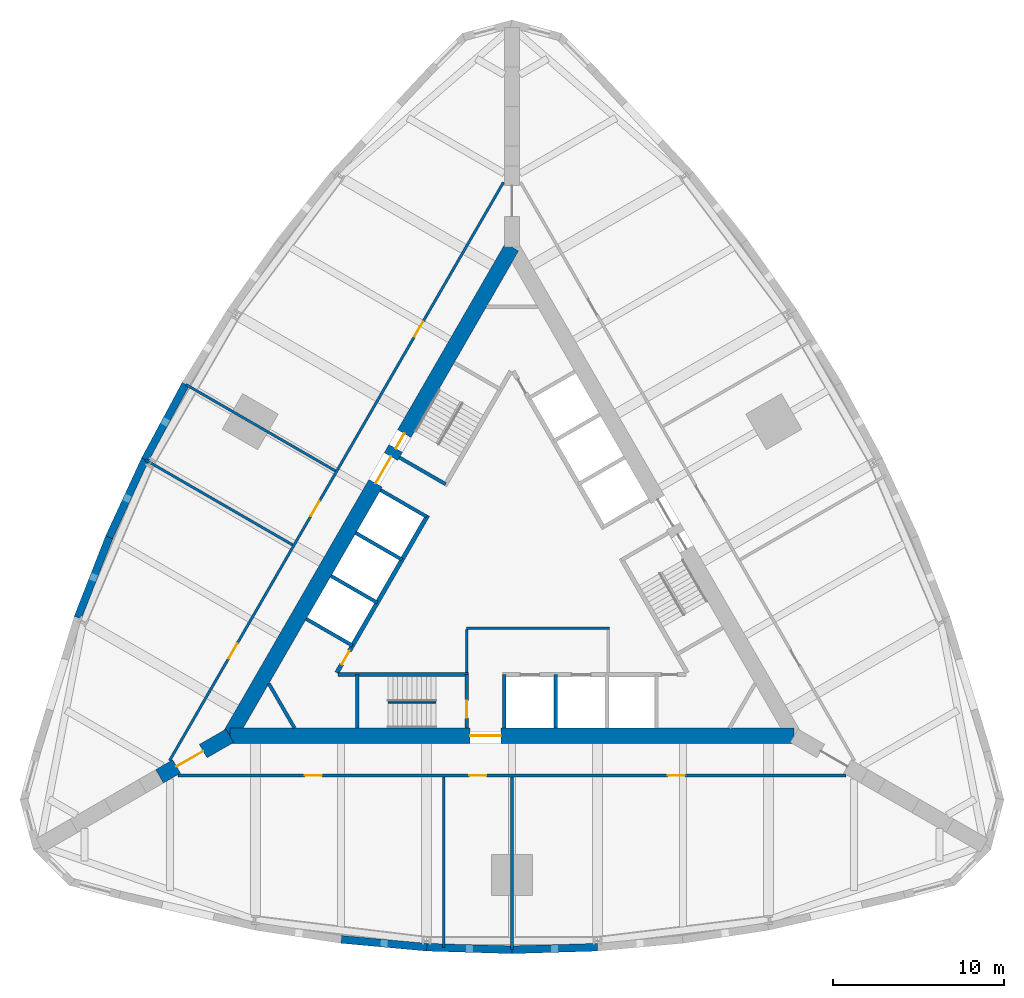
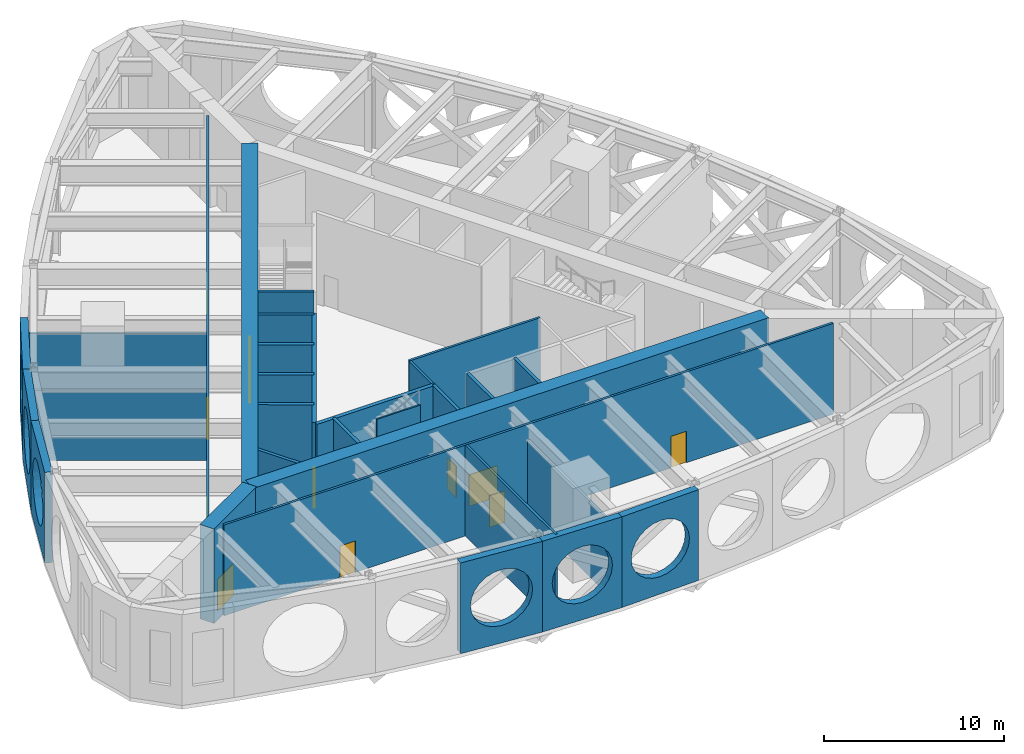
# One storey, part 3 of 7: 30 walls, 12 doors, 12 openings.
"""IFC4 building model written with IfcOpenShell, lengths in metres."""

from ifc_helpers import new_model, si_unit, direction, frame, frame_2d, origin, place, context, subcontext, project, spatial, polyline, rectangle, outline, extrude, material, layer, layer_set, type_object, element, fill, save


model = new_model("IFC4")

# Units and contexts
model_context = context("Model", 3, precision=1e-05, world=origin(), true_north=direction((0.0, 1.0)))
body_context = subcontext(model_context, "Body", "Model", "MODEL_VIEW")
ifc_project = project(units=[si_unit("LENGTHUNIT", "METRE"), si_unit("AREAUNIT", "SQUARE_METRE"), si_unit("VOLUMEUNIT", "CUBIC_METRE"), si_unit("PLANEANGLEUNIT", "RADIAN"), si_unit("MASSUNIT", "GRAM", prefix="KILO")], contexts=[model_context])

# Site, building, storey
site_placement = place(None, origin())
site = spatial("IfcSite", under=ifc_project, at=site_placement, CompositionType="ELEMENT")
building_placement = place(site_placement, origin())
building = spatial("IfcBuilding", under=site, at=building_placement, Name="Trikona Tower", CompositionType="ELEMENT")
storey_placement = place(building_placement, frame((0.0, 0.0, 103.300048828125)))
storey = spatial("IfcBuildingStorey", under=building, at=storey_placement, Name="L27", CompositionType="ELEMENT", Elevation=103.300048828125)

# Walls
ifc_material_1 = material(Name="Brick-faced precast concrete with louvred openings", Category="masonry")
ifc_layer_1 = layer(ifc_material_1, 0.449951171875)
ifc_layer_set_1 = layer_set([ifc_layer_1], Name="Brick-faced plant wall 450")
wall_type_1 = type_object("IfcWallType", Name="Brick-faced plant wall 450", PredefinedType="SOLIDWALL", material=ifc_layer_set_1)
wall_1_placement = place(storey_placement, frame((-9.9794921875, -21.439697265625, 0.0), z_axis=(0.0, 0.0, 1.0), x_axis=(0.995857256774, -0.090930325692, 0.0)))
element("IfcWall", 1, at=wall_1_placement, inside=storey, type_object=wall_type_1, Name="External wall L27-02", PredefinedType="SOLIDWALL", context=body_context, shape_type="SweptSolid", body=[
    extrude(outline(polyline([(0.0, 0.0), (5.020751953125, 0.0), (5.020751953125, 6.14990234375), (0.0, 6.14990234375), (0.0, 0.0)]), holes=[polyline([(4.410400390625, 3.074951171875), (4.345703125, 3.566650390625), (4.15576171875, 4.02490234375), (3.85400390625, 4.41845703125), (3.46044921875, 4.720458984375), (3.002197265625, 4.91015625), (2.510498046875, 4.974853515625), (2.0185546875, 4.91015625), (1.560302734375, 4.720458984375), (1.1669921875, 4.41845703125), (0.864990234375, 4.02490234375), (0.675048828125, 3.566650390625), (0.6103515625, 3.074951171875), (0.675048828125, 2.583251953125), (0.864990234375, 2.125), (1.1669921875, 1.7314453125), (1.560302734375, 1.429443359375), (2.0185546875, 1.23974609375), (2.510498046875, 1.175048828125), (3.002197265625, 1.23974609375), (3.46044921875, 1.429443359375), (3.85400390625, 1.7314453125), (4.15576171875, 2.125), (4.345703125, 2.583251953125), (4.410400390625, 3.074951171875)])]), frame((0.0, 0.22509765625, 0.0), z_axis=(0.0, -1.0, 0.0), x_axis=(1.0, 0.0, 0.0)), (0.0, 0.0, 1.0), 0.449951171875),
])
for number, where, z_axis, x_axis, name in (
    (2, (-4.9931640625, -21.8955078125, 0.0), (0.0, 0.0, 1.0), (0.999537635046, -0.030405856769, 0.0), "External wall L27-03"),
    (3, (-0.0068359375, -22.047607421875, 0.0), (0.0, 0.0, 1.0), (0.999537635046, 0.030405856769, 0.0), "External wall L27-04"),
):
    element("IfcWall", number, at=place(storey_placement, frame(where, z_axis=z_axis, x_axis=x_axis)), inside=storey, type_object=wall_type_1, Name=name, PredefinedType="SOLIDWALL", context=body_context, shape_type="SweptSolid", body=[
        extrude(outline(polyline([(0.0, 0.0), (5.002197265625, 0.0), (5.002197265625, 6.14990234375), (0.0, 6.14990234375), (0.0, 0.0)]), holes=[polyline([(4.401123046875, 3.074951171875), (4.33642578125, 3.566650390625), (4.146484375, 4.02490234375), (3.8447265625, 4.41845703125), (3.451171875, 4.720458984375), (2.992919921875, 4.91015625), (2.501220703125, 4.974853515625), (2.009521484375, 4.91015625), (1.55126953125, 4.720458984375), (1.15771484375, 4.41845703125), (0.855712890625, 4.02490234375), (0.666015625, 3.566650390625), (0.601318359375, 3.074951171875), (0.666015625, 2.583251953125), (0.855712890625, 2.125), (1.15771484375, 1.7314453125), (1.55126953125, 1.429443359375), (2.009521484375, 1.23974609375), (2.501220703125, 1.175048828125), (2.992919921875, 1.23974609375), (3.451171875, 1.429443359375), (3.8447265625, 1.7314453125), (4.146484375, 2.125), (4.33642578125, 2.583251953125), (4.401123046875, 3.074951171875)])]), frame((0.0, 0.22509765625, 0.0), z_axis=(0.0, -1.0, 0.0), x_axis=(1.0, 0.0, 0.0)), (0.0, 0.0, 1.0), 0.449951171875),
    ])
wall_2_placement = place(storey_placement, frame((-19.09033203125, 11.02978515625, 0.0), z_axis=(0.0, 0.0, 1.0), x_axis=(-0.473412820489, -0.880840678782, 0.0)))
element("IfcWall", 4, at=wall_2_placement, inside=storey, type_object=wall_type_1, Name="External wall L27-28", PredefinedType="SOLIDWALL", context=body_context, shape_type="SweptSolid", body=[
    extrude(outline(polyline([(0.0, 0.0), (5.00244140625, 0.0), (5.00244140625, 6.14990234375), (0.0, 6.14990234375), (0.0, 0.0)]), holes=[polyline([(4.401123046875, 3.074951171875), (4.33642578125, 3.566650390625), (4.146484375, 4.02490234375), (3.8447265625, 4.41845703125), (3.451171875, 4.720458984375), (2.992919921875, 4.91015625), (2.501220703125, 4.974853515625), (2.009521484375, 4.91015625), (1.551025390625, 4.720458984375), (1.15771484375, 4.41845703125), (0.855712890625, 4.02490234375), (0.666015625, 3.566650390625), (0.60107421875, 3.074951171875), (0.666015625, 2.583251953125), (0.855712890625, 2.125), (1.15771484375, 1.7314453125), (1.551025390625, 1.429443359375), (2.009521484375, 1.23974609375), (2.501220703125, 1.175048828125), (2.992919921875, 1.23974609375), (3.451171875, 1.429443359375), (3.8447265625, 1.7314453125), (4.146484375, 2.125), (4.33642578125, 2.583251953125), (4.401123046875, 3.074951171875)])]), frame((0.0, 0.22509765625, 0.0), z_axis=(0.0, -1.0, 0.0), x_axis=(1.0, 0.0, 0.0)), (0.0, 0.0, 1.0), 0.449951171875),
])
wall_3_placement = place(storey_placement, frame((-21.452392578125, 6.6357421875, 0.0), z_axis=(0.0, 0.0, 1.0), x_axis=(-0.419203100754, -0.907892482796, 0.0)))
element("IfcWall", 5, at=wall_3_placement, inside=storey, type_object=wall_type_1, Name="External wall L27-29", PredefinedType="SOLIDWALL", context=body_context, shape_type="SweptSolid", body=[
    extrude(outline(polyline([(0.0, 0.0), (5.020751953125, 0.0), (5.020751953125, 6.14990234375), (0.0, 6.14990234375), (0.0, 0.0)]), holes=[polyline([(4.410400390625, 3.074951171875), (4.345703125, 3.566650390625), (4.156005859375, 4.02490234375), (3.85400390625, 4.41845703125), (3.46044921875, 4.720458984375), (3.002197265625, 4.91015625), (2.510498046875, 4.974853515625), (2.018798828125, 4.91015625), (1.560302734375, 4.720458984375), (1.1669921875, 4.41845703125), (0.864990234375, 4.02490234375), (0.67529296875, 3.566650390625), (0.6103515625, 3.074951171875), (0.67529296875, 2.583251953125), (0.864990234375, 2.125), (1.1669921875, 1.7314453125), (1.560302734375, 1.429443359375), (2.018798828125, 1.23974609375), (2.510498046875, 1.175048828125), (3.002197265625, 1.23974609375), (3.46044921875, 1.429443359375), (3.85400390625, 1.7314453125), (4.156005859375, 2.125), (4.345703125, 2.583251953125), (4.410400390625, 3.074951171875)])]), frame((0.0, 0.22509765625, 0.0), z_axis=(0.0, -1.0, 0.0), x_axis=(1.0, 0.0, 0.0)), (0.0, 0.0, 1.0), 0.449951171875),
])
wall_4_placement = place(storey_placement, frame((-23.552001953125, 2.08984375, 0.0), z_axis=(0.0, 0.0, 1.0), x_axis=(-0.363971587738, -0.931410051116, 0.0)))
element("IfcWall", 6, at=wall_4_placement, inside=storey, type_object=wall_type_1, Name="External wall L27-30", PredefinedType="SOLIDWALL", context=body_context, shape_type="SweptSolid", body=[
    extrude(outline(polyline([(0.0, 0.0), (5.0576171875, 0.0), (5.0576171875, 6.14990234375), (0.0, 6.14990234375), (0.0, 0.0)]), holes=[polyline([(4.4287109375, 3.074951171875), (4.364013671875, 3.566650390625), (4.17431640625, 4.02490234375), (3.872314453125, 4.41845703125), (3.478759765625, 4.720458984375), (3.0205078125, 4.91015625), (2.52880859375, 4.974853515625), (2.037109375, 4.91015625), (1.578857421875, 4.720458984375), (1.185302734375, 4.41845703125), (0.88330078125, 4.02490234375), (0.693603515625, 3.566650390625), (0.62890625, 3.074951171875), (0.693603515625, 2.583251953125), (0.88330078125, 2.125), (1.185302734375, 1.7314453125), (1.578857421875, 1.429443359375), (2.037109375, 1.23974609375), (2.52880859375, 1.175048828125), (3.0205078125, 1.23974609375), (3.478759765625, 1.429443359375), (3.872314453125, 1.7314453125), (4.17431640625, 2.125), (4.364013671875, 2.583251953125), (4.4287109375, 3.074951171875)])]), frame((0.0, 0.22509765625, 0.0), z_axis=(0.0, -1.0, 0.0), x_axis=(1.0, 0.0, 0.0)), (0.0, 0.0, 1.0), 0.449951171875),
])

# Wall, opening, door
ifc_material_2 = material(Name="Concrete f'c 10000 psi", Category="concrete")
ifc_layer_2 = layer(ifc_material_2, 0.89990234375)
ifc_layer_set_2 = layer_set([ifc_layer_2], Name="Buttress wall 900")
wall_type_2 = type_object("IfcWallType", Name="Buttress wall 900", PredefinedType="SHEAR", material=ifc_layer_set_2)
wall_5_placement = place(storey_placement, frame((-16.5, -9.5263671875, 0.0), z_axis=(0.0, 0.0, 1.0), x_axis=(-0.866031398331, -0.499989616998, 0.0)))
wall_5 = element("IfcWall", 7, at=wall_5_placement, inside=storey, type_object=wall_type_2, Name="Buttress wall 3", PredefinedType="SHEAR", context=body_context, shape_type="SweptSolid", body=[
    extrude(rectangle(XDim=4.74609375, YDim=0.89990234375, at=frame_2d((2.373046875, 0.0))), origin(), (0.0, 0.0, 1.0), 6.39990234375),
])
opening_1_placement = place(wall_5_placement, frame((1.800048828125, 0.0, 0.0)))
opening_1 = element("IfcOpeningElement", 8, at=opening_1_placement, cuts=wall_5, Name="Opening D10", PredefinedType="OPENING", context=body_context, shape_type="SweptSolid", body=[
    extrude(rectangle(XDim=1.800048828125, YDim=2.1298828125, at=frame_2d((0.89990234375, 1.06494140625))), frame((0.0, 0.4599609375, 0.0), z_axis=(0.0, -1.0, 0.0), x_axis=(1.0, 0.0, 0.0)), (0.0, 0.0, 1.0), 0.919921875),
])
ifc_material_3 = material(Name="Hollow metal door and frame", Category="steel")
door_type_1 = type_object("IfcDoorType", Name="Cross-corridor door pair 1800x2130", OperationType="DOUBLE_DOOR_DOUBLE_SWING", PredefinedType="DOOR", material=ifc_material_3)
door_1_placement = place(opening_1_placement, origin())
door_1 = element("IfcDoor", 9, at=door_1_placement, inside=storey, type_object=door_type_1, Name="Cross-corridor door 3", OperationType="DOUBLE_DOOR_DOUBLE_SWING", OverallHeight=2.1298828125, OverallWidth=1.800048828125, PredefinedType="DOOR", context=body_context, shape_type="SweptSolid", body=[
    extrude(rectangle(XDim=1.800048828125, YDim=2.1298828125, at=frame_2d((0.89990234375, 1.06494140625))), frame((0.0, 0.02490234375, 0.0), z_axis=(0.0, -1.0, 0.0), x_axis=(1.0, 0.0, 0.0)), (0.0, 0.0, 1.0), 0.050048828125),
])
fill(opening_1, door_1)

ifc_material_4 = material(Name="Concrete f'c 10000 psi", Category="concrete")
ifc_layer_3 = layer(ifc_material_4, 0.89990234375)
ifc_layer_set_3 = layer_set([ifc_layer_3], Name="Core wall 900")
wall_type_3 = type_object("IfcWallType", Name="Core wall 900", PredefinedType="SHEAR", material=ifc_layer_set_3)
wall_6_placement = place(storey_placement, frame((-16.5, -9.5263671875, 0.0), z_axis=(0.0, 0.0, 1.0), x_axis=(1.0, 0.0, 0.0)))
wall_6 = element("IfcWall", 10, at=wall_6_placement, inside=storey, type_object=wall_type_3, Name="Core wall A", PredefinedType="SHEAR", context=body_context, shape_type="SweptSolid", body=[
    extrude(rectangle(XDim=33.0, YDim=0.89990234375, at=frame_2d((16.5, 0.0))), origin(), (0.0, 0.0, 1.0), 6.39990234375),
])
opening_2_placement = place(wall_6_placement, frame((14.050048828125, 0.0, 0.0)))
opening_2 = element("IfcOpeningElement", 11, at=opening_2_placement, cuts=wall_6, Name="Opening D6", PredefinedType="OPENING", context=body_context, shape_type="SweptSolid", body=[
    extrude(rectangle(XDim=1.800048828125, YDim=2.1298828125, at=frame_2d((0.89990234375, 1.06494140625))), frame((0.0, 0.4599609375, 0.0), z_axis=(0.0, -1.0, 0.0), x_axis=(1.0, 0.0, 0.0)), (0.0, 0.0, 1.0), 0.919921875),
])
ifc_material_5 = material(Name="Hollow metal door and frame", Category="steel")
door_type_2 = type_object("IfcDoorType", Name="Lobby door pair 1800x2130", OperationType="DOUBLE_DOOR_SINGLE_SWING", PredefinedType="DOOR", material=ifc_material_5)
door_2_placement = place(opening_2_placement, origin())
door_2 = element("IfcDoor", 12, at=door_2_placement, inside=storey, type_object=door_type_2, Name="Fire service lift lobby door", OperationType="DOUBLE_DOOR_SINGLE_SWING", OverallHeight=2.1298828125, OverallWidth=1.800048828125, PredefinedType="DOOR", context=body_context, shape_type="SweptSolid", body=[
    extrude(rectangle(XDim=1.800048828125, YDim=2.1298828125, at=frame_2d((0.89990234375, 1.06494140625))), frame((0.0, 0.02490234375, 0.0), z_axis=(0.0, -1.0, 0.0), x_axis=(1.0, 0.0, 0.0)), (0.0, 0.0, 1.0), 0.050048828125),
])
fill(opening_2, door_2)

# Wall, openings, doors
wall_7_placement = place(storey_placement, frame((0.0, 19.052490234375, 0.0), z_axis=(0.0, 0.0, 1.0), x_axis=(-0.499999749417, -0.866025548458, 0.0)))
wall_7 = element("IfcWall", 13, at=wall_7_placement, inside=storey, type_object=wall_type_3, Name="Core wall C", PredefinedType="SHEAR", context=body_context, shape_type="SweptSolid", body=[
    extrude(rectangle(XDim=33.0, YDim=0.89990234375, at=frame_2d((16.5, 0.0))), origin(), (0.0, 0.0, 1.0), 6.39990234375),
])
opening_3_placement = place(wall_7_placement, frame((14.14990234375, 0.0, 0.0)))
opening_3 = element("IfcOpeningElement", 14, at=opening_3_placement, cuts=wall_7, Name="Opening D6", PredefinedType="OPENING", context=body_context, shape_type="SweptSolid", body=[
    extrude(rectangle(XDim=1.800048828125, YDim=2.1298828125, at=frame_2d((0.89990234375, 1.06494140625))), frame((0.0, 0.4599609375, 0.0), z_axis=(0.0, -1.0, 0.0), x_axis=(1.0, 0.0, 0.0)), (0.0, 0.0, 1.0), 0.919921875),
])
opening_4_placement = place(wall_7_placement, frame((12.60009765625, 0.0, 0.0)))
opening_4 = element("IfcOpeningElement", 15, at=opening_4_placement, cuts=wall_7, Name="Opening D5", PredefinedType="OPENING", context=body_context, shape_type="SweptSolid", body=[
    extrude(rectangle(XDim=1.0, YDim=2.1298828125, at=frame_2d((0.5, 1.06494140625))), frame((0.0, 0.4599609375, 0.0), z_axis=(0.0, -1.0, 0.0), x_axis=(1.0, 0.0, 0.0)), (0.0, 0.0, 1.0), 0.919921875),
])
door_3_placement = place(opening_3_placement, origin())
door_3 = element("IfcDoor", 16, at=door_3_placement, inside=storey, type_object=door_type_2, Name="Lift lobby door C", OperationType="DOUBLE_DOOR_SINGLE_SWING", OverallHeight=2.1298828125, OverallWidth=1.800048828125, PredefinedType="DOOR", context=body_context, shape_type="SweptSolid", body=[
    extrude(rectangle(XDim=1.800048828125, YDim=2.1298828125, at=frame_2d((0.89990234375, 1.06494140625))), frame((0.0, 0.02490234375, 0.0), z_axis=(0.0, -1.0, 0.0), x_axis=(1.0, 0.0, 0.0)), (0.0, 0.0, 1.0), 0.050048828125),
])
fill(opening_3, door_3)
ifc_material_6 = material(Name="Hollow metal door and frame", Category="steel")
door_type_3 = type_object("IfcDoorType", Name="Stair door 1000x2130", OperationType="SINGLE_SWING_LEFT", PredefinedType="DOOR", material=ifc_material_6)
door_4_placement = place(opening_4_placement, origin())
door_4 = element("IfcDoor", 17, at=door_4_placement, inside=storey, type_object=door_type_3, Name="Stair C door", OperationType="SINGLE_SWING_RIGHT", OverallHeight=2.1298828125, OverallWidth=1.0, PredefinedType="DOOR", context=body_context, shape_type="SweptSolid", body=[
    extrude(rectangle(XDim=1.0, YDim=2.1298828125, at=frame_2d((0.5, 1.06494140625))), frame((0.0, 0.02490234375, 0.0), z_axis=(0.0, -1.0, 0.0), x_axis=(1.0, 0.0, 0.0)), (0.0, 0.0, 1.0), 0.050048828125),
])
fill(opening_4, door_4)

ifc_material_7 = material(Name="Metal stud and gypsum board, 1-hour", Category="gypsum")
ifc_layer_4 = layer(ifc_material_7, 0.14990234375)
ifc_layer_set_4 = layer_set([ifc_layer_4], Name="Corridor wall 150")
wall_type_4 = type_object("IfcWallType", Name="Corridor wall 150", PredefinedType="PARTITIONING", material=ifc_layer_set_4)
wall_8_placement = place(storey_placement, frame((-19.527099609375, -11.851318359375, 0.0), z_axis=(0.0, 0.0, 1.0), x_axis=(1.0, 0.0, 0.0)))
wall_8 = element("IfcWall", 18, at=wall_8_placement, inside=storey, type_object=wall_type_4, Name="Corridor wall L27-1", PredefinedType="PARTITIONING", context=body_context, shape_type="SweptSolid", body=[
    extrude(rectangle(XDim=39.05419921875, YDim=0.14990234375, at=frame_2d((19.527099609375, 0.0))), origin(), (0.0, 0.0, 1.0), 6.14990234375),
])
opening_5_placement = place(wall_8_placement, frame((7.41357421875, 0.0, 0.0)))
opening_5 = element("IfcOpeningElement", 19, at=opening_5_placement, cuts=wall_8, Name="Opening D3", PredefinedType="OPENING", context=body_context, shape_type="SweptSolid", body=[
    extrude(rectangle(XDim=1.0, YDim=2.1298828125, at=frame_2d((0.5, 1.06494140625))), frame((0.0, 0.0849609375, 0.0), z_axis=(0.0, -1.0, 0.0), x_axis=(1.0, 0.0, 0.0)), (0.0, 0.0, 1.0), 0.169921875),
])
opening_6_placement = place(wall_8_placement, frame((17.027099609375, 0.0, 0.0)))
opening_6 = element("IfcOpeningElement", 20, at=opening_6_placement, cuts=wall_8, Name="Opening D3", PredefinedType="OPENING", context=body_context, shape_type="SweptSolid", body=[
    extrude(rectangle(XDim=1.0, YDim=2.1298828125, at=frame_2d((0.5, 1.06494140625))), frame((0.0, 0.0849609375, 0.0), z_axis=(0.0, -1.0, 0.0), x_axis=(1.0, 0.0, 0.0)), (0.0, 0.0, 1.0), 0.169921875),
])
opening_7_placement = place(wall_8_placement, frame((28.640380859375, 0.0, 0.0)))
opening_7 = element("IfcOpeningElement", 21, at=opening_7_placement, cuts=wall_8, Name="Opening D3", PredefinedType="OPENING", context=body_context, shape_type="SweptSolid", body=[
    extrude(rectangle(XDim=1.0, YDim=2.1298828125, at=frame_2d((0.5, 1.06494140625))), frame((0.0, 0.0849609375, 0.0), z_axis=(0.0, -1.0, 0.0), x_axis=(1.0, 0.0, 0.0)), (0.0, 0.0, 1.0), 0.169921875),
])
ifc_material_8 = material(Name="Steel door frame with solid-core timber leaf", Category="steel")
door_type_4 = type_object("IfcDoorType", Name="Room door 1000x2130", OperationType="SINGLE_SWING_LEFT", PredefinedType="DOOR", material=ifc_material_8)
door_5_placement = place(opening_5_placement, origin())
door_5 = element("IfcDoor", 22, at=door_5_placement, inside=storey, type_object=door_type_4, Name="Door Air handling plant", OperationType="SINGLE_SWING_LEFT", OverallHeight=2.1298828125, OverallWidth=1.0, PredefinedType="DOOR", context=body_context, shape_type="SweptSolid", body=[
    extrude(rectangle(XDim=1.0, YDim=2.1298828125, at=frame_2d((0.5, 1.06494140625))), frame((0.0, 0.02490234375, 0.0), z_axis=(0.0, -1.0, 0.0), x_axis=(1.0, 0.0, 0.0)), (0.0, 0.0, 1.0), 0.050048828125),
])
fill(opening_5, door_5)
door_6_placement = place(opening_6_placement, origin())
door_6 = element("IfcDoor", 23, at=door_6_placement, inside=storey, type_object=door_type_4, Name="Door Sprinkler valve plant room", OperationType="SINGLE_SWING_RIGHT", OverallHeight=2.1298828125, OverallWidth=1.0, PredefinedType="DOOR", context=body_context, shape_type="SweptSolid", body=[
    extrude(rectangle(XDim=1.0, YDim=2.1298828125, at=frame_2d((0.5, 1.06494140625))), frame((0.0, 0.02490234375, 0.0), z_axis=(0.0, -1.0, 0.0), x_axis=(1.0, 0.0, 0.0)), (0.0, 0.0, 1.0), 0.050048828125),
])
fill(opening_6, door_6)
door_7_placement = place(opening_7_placement, origin())
door_7 = element("IfcDoor", 24, at=door_7_placement, inside=storey, type_object=door_type_4, Name="Door Refuge area", OperationType="SINGLE_SWING_LEFT", OverallHeight=2.1298828125, OverallWidth=1.0, PredefinedType="DOOR", context=body_context, shape_type="SweptSolid", body=[
    extrude(rectangle(XDim=1.0, YDim=2.1298828125, at=frame_2d((0.5, 1.06494140625))), frame((0.0, 0.02490234375, 0.0), z_axis=(0.0, -1.0, 0.0), x_axis=(1.0, 0.0, 0.0)), (0.0, 0.0, 1.0), 0.050048828125),
])
fill(opening_7, door_7)

wall_9_placement = place(storey_placement, frame((-0.5, 22.83642578125, 0.0), z_axis=(0.0, 0.0, 1.0), x_axis=(-0.500001677587, -0.866024435227, 0.0)))
wall_9 = element("IfcWall", 25, at=wall_9_placement, inside=storey, type_object=wall_type_4, Name="Corridor wall L27-3", PredefinedType="PARTITIONING", context=body_context, shape_type="SweptSolid", body=[
    extrude(rectangle(XDim=39.053955078125, YDim=0.14990234375, at=frame_2d((19.52685546875, 0.0))), origin(), (0.0, 0.0, 1.0), 6.14990234375),
])
opening_8_placement = place(wall_9_placement, frame((9.41357421875, 0.0, 0.0)))
opening_8 = element("IfcOpeningElement", 26, at=opening_8_placement, cuts=wall_9, Name="Opening D3", PredefinedType="OPENING", context=body_context, shape_type="SweptSolid", body=[
    extrude(rectangle(XDim=1.0, YDim=2.1298828125, at=frame_2d((0.5, 1.06494140625))), frame((0.0, 0.0849609375, 0.0), z_axis=(0.0, -1.0, 0.0), x_axis=(1.0, 0.0, 0.0)), (0.0, 0.0, 1.0), 0.169921875),
])
opening_9_placement = place(wall_9_placement, frame((21.527099609375, 0.0, 0.0)))
opening_9 = element("IfcOpeningElement", 27, at=opening_9_placement, cuts=wall_9, Name="Opening D3", PredefinedType="OPENING", context=body_context, shape_type="SweptSolid", body=[
    extrude(rectangle(XDim=1.0, YDim=2.1298828125, at=frame_2d((0.5, 1.06494140625))), frame((0.0, 0.0849609375, 0.0), z_axis=(0.0, -1.0, 0.0), x_axis=(1.0, 0.0, 0.0)), (0.0, 0.0, 1.0), 0.169921875),
])
opening_10_placement = place(wall_9_placement, frame((31.140380859375, 0.0, 0.0)))
opening_10 = element("IfcOpeningElement", 28, at=opening_10_placement, cuts=wall_9, Name="Opening D3", PredefinedType="OPENING", context=body_context, shape_type="SweptSolid", body=[
    extrude(rectangle(XDim=1.0, YDim=2.1298828125, at=frame_2d((0.5, 1.06494140625))), frame((0.0, 0.0849609375, 0.0), z_axis=(0.0, -1.0, 0.0), x_axis=(1.0, 0.0, 0.0)), (0.0, 0.0, 1.0), 0.169921875),
])
door_8_placement = place(opening_8_placement, origin())
door_8 = element("IfcDoor", 29, at=door_8_placement, inside=storey, type_object=door_type_4, Name="Door Intermediate water tank room", OperationType="SINGLE_SWING_LEFT", OverallHeight=2.1298828125, OverallWidth=1.0, PredefinedType="DOOR", context=body_context, shape_type="SweptSolid", body=[
    extrude(rectangle(XDim=1.0, YDim=2.1298828125, at=frame_2d((0.5, 1.06494140625))), frame((0.0, 0.02490234375, 0.0), z_axis=(0.0, -1.0, 0.0), x_axis=(1.0, 0.0, 0.0)), (0.0, 0.0, 1.0), 0.050048828125),
])
fill(opening_8, door_8)
door_9_placement = place(opening_9_placement, origin())
door_9 = element("IfcDoor", 30, at=door_9_placement, inside=storey, type_object=door_type_4, Name="Door Booster pump plant room", OperationType="SINGLE_SWING_RIGHT", OverallHeight=2.1298828125, OverallWidth=1.0, PredefinedType="DOOR", context=body_context, shape_type="SweptSolid", body=[
    extrude(rectangle(XDim=1.0, YDim=2.1298828125, at=frame_2d((0.5, 1.06494140625))), frame((0.0, 0.02490234375, 0.0), z_axis=(0.0, -1.0, 0.0), x_axis=(1.0, 0.0, 0.0)), (0.0, 0.0, 1.0), 0.050048828125),
])
fill(opening_9, door_9)
door_10_placement = place(opening_10_placement, origin())
door_10 = element("IfcDoor", 31, at=door_10_placement, inside=storey, type_object=door_type_4, Name="Door Smoke control fan plant room", OperationType="SINGLE_SWING_LEFT", OverallHeight=2.1298828125, OverallWidth=1.0, PredefinedType="DOOR", context=body_context, shape_type="SweptSolid", body=[
    extrude(rectangle(XDim=1.0, YDim=2.1298828125, at=frame_2d((0.5, 1.06494140625))), frame((0.0, 0.02490234375, 0.0), z_axis=(0.0, -1.0, 0.0), x_axis=(1.0, 0.0, 0.0)), (0.0, 0.0, 1.0), 0.050048828125),
])
fill(opening_10, door_10)

# Wall
ifc_material_9 = material(Name="Concrete f'c 8000 psi", Category="concrete")
ifc_layer_5 = layer(ifc_material_9, 0.25)
ifc_layer_set_5 = layer_set([ifc_layer_5], Name="Hub wall 250")
wall_type_5 = type_object("IfcWallType", Name="Hub wall 250", PredefinedType="SOLIDWALL", material=ifc_layer_set_5)
wall_10_placement = place(storey_placement, frame((-10.182861328125, -5.951416015625, 0.0), z_axis=(0.0, 0.0, 1.0), x_axis=(1.0, 0.0, 0.0)))
element("IfcWall", 32, at=wall_10_placement, inside=storey, type_object=wall_type_5, Name="Lift lobby wall A1", PredefinedType="SOLIDWALL", context=body_context, shape_type="SweptSolid", body=[
    extrude(rectangle(XDim=7.6328125, YDim=0.25, at=frame_2d((3.81640625, 0.0))), origin(), (0.0, 0.0, 1.0), 6.14990234375),
])

# Wall, opening, door
wall_11_placement = place(storey_placement, frame((-4.928955078125, 3.365478515625, 0.0), z_axis=(0.0, 0.0, 1.0), x_axis=(-0.499991433582, -0.866030349552, 0.0)))
wall_11 = element("IfcWall", 33, at=wall_11_placement, inside=storey, type_object=wall_type_5, Name="Lift lobby wall C2", PredefinedType="SOLIDWALL", context=body_context, shape_type="SweptSolid", body=[
    extrude(rectangle(XDim=10.633056640625, YDim=0.25, at=frame_2d((5.31640625, 0.0))), origin(), (0.0, 0.0, 1.0), 6.14990234375),
])
opening_11_placement = place(wall_11_placement, frame((9.1640625, 0.0, 0.0)))
opening_11 = element("IfcOpeningElement", 34, at=opening_11_placement, cuts=wall_11, Name="Opening D14", PredefinedType="OPENING", context=body_context, shape_type="SweptSolid", body=[
    extrude(rectangle(XDim=0.89990234375, YDim=2.1298828125, at=frame_2d((0.449951171875, 1.06494140625))), frame((0.0, 0.135009765625, 0.0), z_axis=(0.0, -1.0, 0.0), x_axis=(1.0, 0.0, 0.0)), (0.0, 0.0, 1.0), 0.27001953125),
])
ifc_material_10 = material(Name="Hollow metal door and frame", Category="steel")
door_type_5 = type_object("IfcDoorType", Name="Service room door 900x2130", OperationType="SINGLE_SWING_LEFT", PredefinedType="DOOR", material=ifc_material_10)
door_11_placement = place(opening_11_placement, origin())
door_11 = element("IfcDoor", 35, at=door_11_placement, inside=storey, type_object=door_type_5, Name="Door Electrical room ELR", OperationType="SINGLE_SWING_RIGHT", OverallHeight=2.1298828125, OverallWidth=0.89990234375, PredefinedType="DOOR", context=body_context, shape_type="SweptSolid", body=[
    extrude(rectangle(XDim=0.89990234375, YDim=2.1298828125, at=frame_2d((0.449951171875, 1.06494140625))), frame((0.0, 0.02490234375, 0.0), z_axis=(0.0, -1.0, 0.0), x_axis=(1.0, 0.0, 0.0)), (0.0, 0.0, 1.0), 0.050048828125),
])
fill(opening_11, door_11)

# Walls
ifc_material_11 = material(Name="Metal stud and gypsum board, 2-hour shaft wall", Category="gypsum")
ifc_layer_6 = layer(ifc_material_11, 0.14990234375)
ifc_layer_set_6 = layer_set([ifc_layer_6], Name="Lobby wall 150")
wall_type_6 = type_object("IfcWallType", Name="Lobby wall 150", PredefinedType="PARTITIONING", material=ifc_layer_set_6)
wall_12_placement = place(storey_placement, frame((-2.64990234375, -3.251220703125, 0.0), z_axis=(0.0, 0.0, 1.0), x_axis=(1.0, 0.0, 0.0)))
element("IfcWall", 36, at=wall_12_placement, inside=storey, type_object=wall_type_6, Name="Fire service lift lobby wall 1", PredefinedType="PARTITIONING", context=body_context, shape_type="SweptSolid", body=[
    extrude(rectangle(XDim=8.349853515625, YDim=0.14990234375, at=frame_2d((4.1748046875, 0.0))), origin(), (0.0, 0.0, 1.0), 6.14990234375),
])
wall_13_placement = place(storey_placement, frame((-2.64990234375, -5.826416015625, 0.0), z_axis=(0.0, 0.0, 1.0), x_axis=(0.0, 1.0, 0.0)))
element("IfcWall", 37, at=wall_13_placement, inside=storey, type_object=wall_type_6, Name="Fire service lift lobby wall 2", PredefinedType="PARTITIONING", context=body_context, shape_type="SweptSolid", body=[
    extrude(rectangle(XDim=2.5, YDim=0.14990234375, at=frame_2d((1.25, 0.0))), origin(), (0.0, 0.0, 1.0), 6.14990234375),
])
ifc_material_12 = material(Name="Metal stud and gypsum board, 1-hour acoustic", Category="gypsum")
ifc_layer_7 = layer(ifc_material_12, 0.14990234375)
ifc_layer_set_7 = layer_set([ifc_layer_7], Name="Party wall 150")
wall_type_7 = type_object("IfcWallType", Name="Party wall 150", PredefinedType="PARTITIONING", material=ifc_layer_set_7)
wall_14_placement = place(storey_placement, frame((-4.0, -11.92626953125, 0.0), z_axis=(0.0, 0.0, 1.0), x_axis=(0.0, -1.0, 0.0)))
element("IfcWall", 38, at=wall_14_placement, inside=storey, type_object=wall_type_7, Name="Partition L27 F1 u-4", PredefinedType="PARTITIONING", context=body_context, shape_type="SweptSolid", body=[
    extrude(rectangle(XDim=9.974365234375, YDim=0.14990234375, at=frame_2d((4.9873046875, 0.0))), origin(), (0.0, 0.0, 1.0), 6.14990234375),
])
wall_15_placement = place(storey_placement, frame((0.0, -11.92626953125, 0.0), z_axis=(0.0, 0.0, 1.0), x_axis=(0.0, -1.0, 0.0)))
element("IfcWall", 39, at=wall_15_placement, inside=storey, type_object=wall_type_7, Name="Partition L27 F1 u-1.03538e-30", PredefinedType="PARTITIONING", context=body_context, shape_type="SweptSolid", body=[
    extrude(rectangle(XDim=10.09619140625, YDim=0.14990234375, at=frame_2d((5.048095703125, 0.0))), origin(), (0.0, 0.0, 1.0), 5.108642578125),
])
wall_16_placement = place(storey_placement, frame((-10.32861328125, 5.963134765625, 0.0), z_axis=(0.0, 0.0, 1.0), x_axis=(-0.866021688545, 0.500006434927, 0.0)))
element("IfcWall", 40, at=wall_16_placement, inside=storey, type_object=wall_type_7, Name="Partition L27 F3 u-5.10703e-15", PredefinedType="PARTITIONING", context=body_context, shape_type="SweptSolid", body=[
    extrude(rectangle(XDim=10.095947265625, YDim=0.14990234375, at=frame_2d((5.0478515625, 0.0))), origin(), (0.0, 0.0, 1.0), 5.108642578125),
])
wall_17_placement = place(storey_placement, frame((-12.82861328125, 1.633056640625, 0.0), z_axis=(0.0, 0.0, 1.0), x_axis=(-0.866026934769, 0.499997348248, 0.0)))
element("IfcWall", 41, at=wall_17_placement, inside=storey, type_object=wall_type_7, Name="Partition L27 F3 u5", PredefinedType="PARTITIONING", context=body_context, shape_type="SweptSolid", body=[
    extrude(rectangle(XDim=9.94287109375, YDim=0.14990234375, at=frame_2d((4.971435546875, 0.0))), origin(), (0.0, 0.0, 1.0), 4.75),
])
ifc_material_13 = material(Name="Concrete f'c 8000 psi", Category="concrete")
ifc_layer_8 = layer(ifc_material_13, 0.199951171875)
ifc_layer_set_8 = layer_set([ifc_layer_8], Name="Shaft wall 200")
wall_type_8 = type_object("IfcWallType", Name="Shaft wall 200", PredefinedType="SOLIDWALL", material=ifc_layer_set_8)
for number, where, z_axis, x_axis, name in (
    (42, (-0.449951171875, -5.951416015625, 0.0), (0.0, 0.0, 1.0), (0.0, -1.0, 0.0), "Shaft wall A3"),
    (43, (2.550048828125, -5.951416015625, 0.0), (0.0, 0.0, 1.0), (0.0, -1.0, 0.0), "Shaft wall A4"),
    (44, (-4.97900390625, 3.27880859375, 0.0), (0.0, 0.0, 1.0), (-0.866022959057, 0.500004234368, 0.0), "Shaft wall C3"),
    (45, (-6.428955078125, 0.767333984375, 0.0), (0.0, 0.0, 1.0), (-0.866022959057, 0.500004234368, 0.0), "Shaft wall C4"),
    (46, (-7.87890625, -1.744140625, 0.0), (0.0, 0.0, 1.0), (-0.866022959057, 0.500004234368, 0.0), "Shaft wall C5"),
    (47, (-9.3291015625, -4.255615234375, 0.0), (0.0, 0.0, 1.0), (-0.866022959057, 0.500004234368, 0.0), "Shaft wall C6"),
):
    element("IfcWall", number, at=place(storey_placement, frame(where, z_axis=z_axis, x_axis=x_axis)), inside=storey, type_object=wall_type_8, Name=name, PredefinedType="SOLIDWALL", context=body_context, shape_type="SweptSolid", body=[
        extrude(rectangle(XDim=3.125, YDim=0.199951171875, at=frame_2d((1.5625, 0.0))), origin(), (0.0, 0.0, 1.0), 6.14990234375),
    ])
wall_18_placement = place(storey_placement, frame((-12.718505859375, -9.076416015625, 0.0), z_axis=(0.0, 0.0, 1.0), x_axis=(-0.499952404951, 0.866052881055, 0.0)))
element("IfcWall", 48, at=wall_18_placement, inside=storey, type_object=wall_type_8, Name="Riser wall L27-RS3", PredefinedType="SOLIDWALL", context=body_context, shape_type="SweptSolid", body=[
    extrude(rectangle(XDim=3.002197265625, YDim=0.199951171875, at=frame_2d((1.5009765625, 0.0))), origin(), (0.0, 0.0, 1.0), 6.14990234375),
])
ifc_material_14 = material(Name="Concrete f'c 8000 psi", Category="concrete")
ifc_layer_9 = layer(ifc_material_14, 0.199951171875)
ifc_layer_set_9 = layer_set([ifc_layer_9], Name="Shaft wall 200 load-bearing")
wall_type_9 = type_object("IfcWallType", Name="Shaft wall 200 load-bearing", PredefinedType="SOLIDWALL", material=ifc_layer_set_9)
wall_19_placement = place(storey_placement, frame((-9.050048828125, -5.951416015625, 0.0), z_axis=(0.0, 0.0, 1.0), x_axis=(0.0, -1.0, 0.0)))
element("IfcWall", 49, at=wall_19_placement, inside=storey, type_object=wall_type_9, Name="Shaft wall A1", PredefinedType="SOLIDWALL", context=body_context, shape_type="SweptSolid", body=[
    extrude(rectangle(XDim=3.125, YDim=0.199951171875, at=frame_2d((1.5625, 0.0))), origin(), (0.0, 0.0, 1.0), 6.14990234375),
])

# Wall, opening, door
wall_20_placement = place(storey_placement, frame((-2.64990234375, -5.951416015625, 0.0), z_axis=(0.0, 0.0, 1.0), x_axis=(0.0, -1.0, 0.0)))
wall_20 = element("IfcWall", 50, at=wall_20_placement, inside=storey, type_object=wall_type_9, Name="Shaft wall A2", PredefinedType="SOLIDWALL", context=body_context, shape_type="SweptSolid", body=[
    extrude(rectangle(XDim=3.125, YDim=0.199951171875, at=frame_2d((1.5625, 0.0))), origin(), (0.0, 0.0, 1.0), 6.14990234375),
])
opening_12_placement = place(wall_20_placement, frame((1.52490234375, 0.0, 0.0)))
opening_12 = element("IfcOpeningElement", 51, at=opening_12_placement, cuts=wall_20, Name="Opening D5", PredefinedType="OPENING", context=body_context, shape_type="SweptSolid", body=[
    extrude(rectangle(XDim=1.0, YDim=2.1298828125, at=frame_2d((0.5, 1.06494140625))), frame((0.0, 0.10986328125, 0.0), z_axis=(0.0, -1.0, 0.0), x_axis=(1.0, 0.0, 0.0)), (0.0, 0.0, 1.0), 0.219970703125),
])
door_12_placement = place(opening_12_placement, origin())
door_12 = element("IfcDoor", 52, at=door_12_placement, inside=storey, type_object=door_type_3, Name="Stair A door", OperationType="SINGLE_SWING_RIGHT", OverallHeight=2.1298828125, OverallWidth=1.0, PredefinedType="DOOR", context=body_context, shape_type="SweptSolid", body=[
    extrude(rectangle(XDim=1.0, YDim=2.1298828125, at=frame_2d((0.5, 1.06494140625))), frame((0.0, 0.02490234375, 0.0), z_axis=(0.0, -1.0, 0.0), x_axis=(1.0, 0.0, 0.0)), (0.0, 0.0, 1.0), 0.050048828125),
])
fill(opening_12, door_12)

# Walls
wall_21_placement = place(storey_placement, frame((-3.87890625, 5.18408203125, 0.0), z_axis=(0.0, 0.0, 1.0), x_axis=(-0.866022959057, 0.500004234368, 0.0)))
element("IfcWall", 53, at=wall_21_placement, inside=storey, type_object=wall_type_9, Name="Shaft wall C2", PredefinedType="SOLIDWALL", context=body_context, shape_type="SweptSolid", body=[
    extrude(rectangle(XDim=3.125, YDim=0.199951171875, at=frame_2d((1.5625, 0.0))), origin(), (0.0, 0.0, 1.0), 6.14990234375),
])
ifc_material_15 = material(Name="Concrete f'c 5000 psi", Category="concrete")
ifc_layer_10 = layer(ifc_material_15, 0.10009765625)
ifc_layer_set_10 = layer_set([ifc_layer_10], Name="Stair spine wall 100")
wall_type_10 = type_object("IfcWallType", Name="Stair spine wall 100", PredefinedType="SOLIDWALL", material=ifc_layer_set_10)
wall_22_placement = place(storey_placement, frame((-7.2470703125, -7.576416015625, 0.0), z_axis=(0.0, 0.0, 1.0), x_axis=(1.0, 0.0, 0.0)))
element("IfcWall", 54, at=wall_22_placement, inside=storey, type_object=wall_type_10, Name="Stair A spine wall L27", PredefinedType="SOLIDWALL", context=body_context, shape_type="SweptSolid", body=[
    extrude(rectangle(XDim=2.794189453125, YDim=0.10009765625, at=frame_2d((1.39697265625, 0.0))), origin(), (0.0, 0.0, 1.0), 6.39990234375),
])

save(model, "model.ifc")
